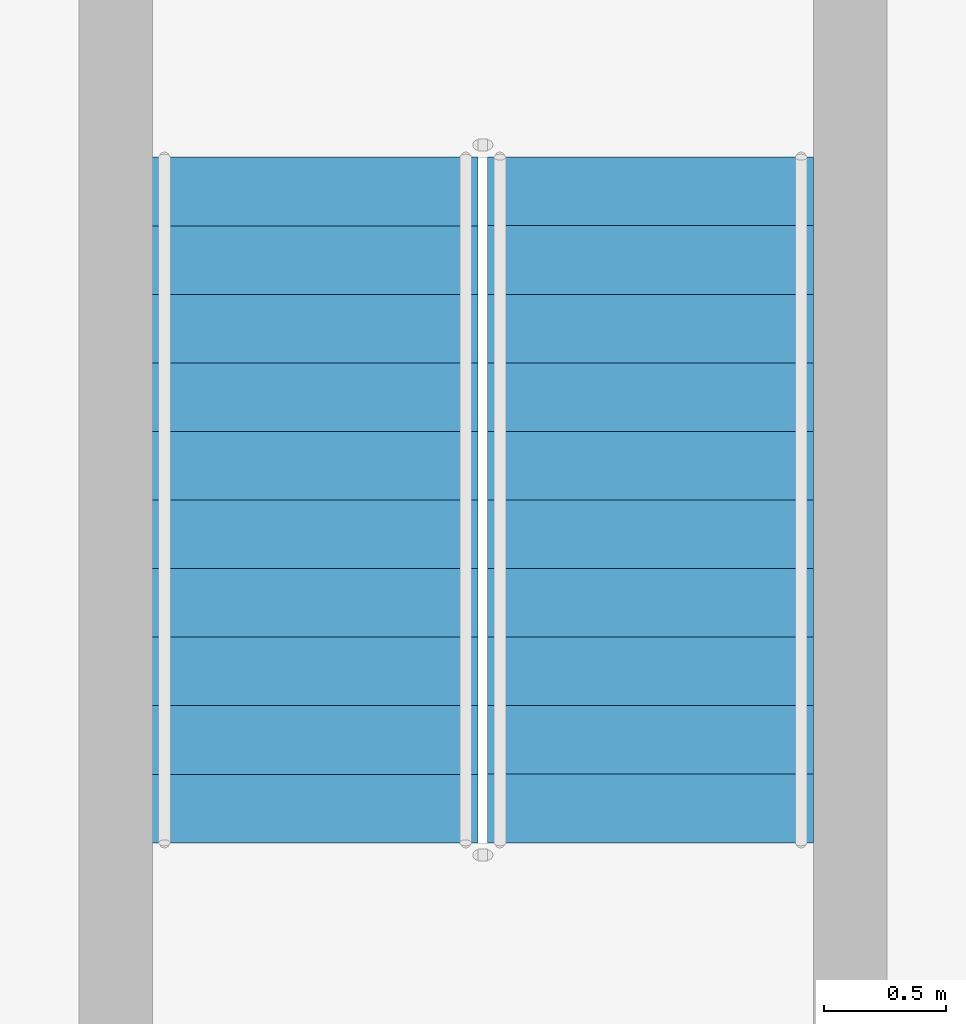
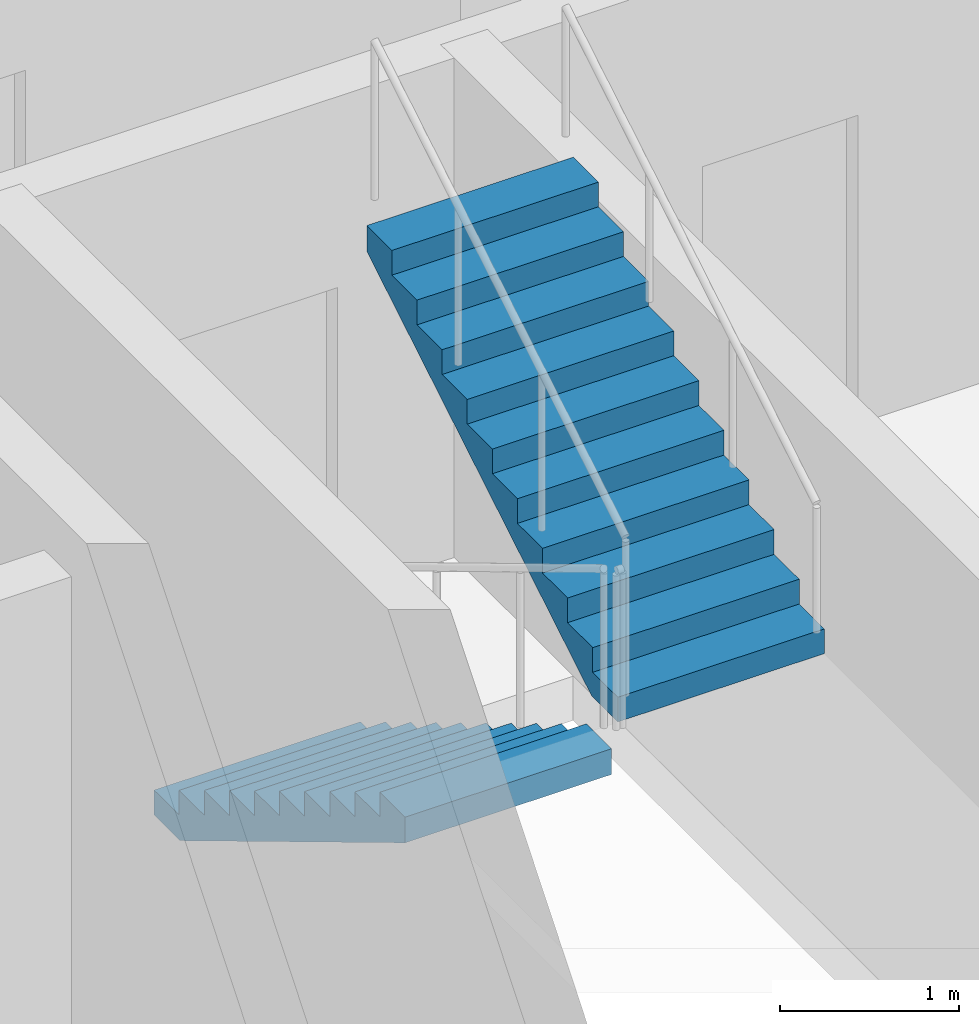
# One storey, part 28 of 36: 2 stair flights, 1 element without a shape of its own.
"""IFC4 building model written with IfcOpenShell, lengths in metres."""

from ifc_helpers import new_model, si_unit, direction, frame, origin, place, context, subcontext, project, spatial, triangles, source, transform, mapped, material, type_object, element, aggregate, save


model = new_model("IFC4")

# Units and contexts
model_context = context("Model", 3, precision=1e-05, world=origin(), true_north=direction((0.0, 1.0)))
body_context = subcontext(model_context, "Body", "Model", "MODEL_VIEW")
ifc_project = project(units=[si_unit("LENGTHUNIT", "METRE"), si_unit("AREAUNIT", "SQUARE_METRE"), si_unit("VOLUMEUNIT", "CUBIC_METRE"), si_unit("PLANEANGLEUNIT", "RADIAN"), si_unit("MASSUNIT", "GRAM", prefix="KILO")], contexts=[model_context])

# Site, building, storey
site_placement = place(None, origin())
site = spatial("IfcSite", under=ifc_project, at=site_placement, CompositionType="ELEMENT")
building_placement = place(site_placement, origin())
building = spatial("IfcBuilding", under=site, at=building_placement, Name="Ogive Portal Towers", CompositionType="ELEMENT")
storey_placement = place(building_placement, frame((0.0, 0.0, 48.300048828125)))
storey = spatial("IfcBuildingStorey", under=building, at=storey_placement, Name="L10", CompositionType="ELEMENT", Elevation=48.300048828125)

# Stair, stair flights
ifc_material = material(Name="Concrete C40/50", Category="concrete")
stair_type = type_object("IfcStairType", Name="INT-STAIR", PredefinedType="HALF_TURN_STAIR", material=ifc_material)
stair_placement = place(storey_placement, origin())
stair = element("IfcStair", 1, at=stair_placement, inside=storey, type_object=stair_type, Name="L10 Exit Stair ST-A4", PredefinedType="HALF_TURN_STAIR")
stair_flight_type = type_object("IfcStairFlightType", Name="INT-FLIGHT", PredefinedType="STRAIGHT", material=ifc_material)
shared_shape = source(origin(), body_context, "Body", "Tessellation", [
    triangles([(0.0, -0.6650390625, 0.0), (0.0, -0.384765625, 0.0), (0.0, -0.197021484375, 0.0), (0.0, -0.0830078125, 0.0), (0.0, -0.024658203125, 0.0), (0.0, -0.003173828125, 0.0), (0.0, 0.0, 0.0), (0.0, 0.003173828125, 0.0), (0.0, 0.024658203125, 0.0), (0.0, 0.0830078125, 0.0), (0.0, 0.197021484375, 0.0), (0.0, 0.384765625, 0.0), (0.0, 0.6650390625, 0.0), (0.0, -0.6650390625, 0.168212890625), (0.0, -0.384765625, 0.168212890625), (0.0, -0.197021484375, 0.168212890625), (0.0, -0.0830078125, 0.168212890625), (0.0, -0.024658203125, 0.168212890625), (0.0, -0.003173828125, 0.168212890625), (0.0, 0.0, 0.168212890625), (0.0, 0.003173828125, 0.168212890625), (0.0, 0.024658203125, 0.168212890625), (0.0, 0.0830078125, 0.168212890625), (0.0, 0.197021484375, 0.168212890625), (0.0, 0.384765625, 0.168212890625), (0.0, 0.6650390625, 0.168212890625), (0.280029296875, -0.6650390625, 0.168212890625), (0.280029296875, -0.384765625, 0.168212890625), (0.280029296875, -0.197021484375, 0.168212890625), (0.280029296875, -0.0830078125, 0.168212890625), (0.280029296875, -0.024658203125, 0.168212890625), (0.280029296875, -0.003173828125, 0.168212890625), (0.280029296875, 0.0, 0.168212890625), (0.280029296875, 0.003173828125, 0.168212890625), (0.280029296875, 0.024658203125, 0.168212890625), (0.280029296875, 0.0830078125, 0.168212890625), (0.280029296875, 0.197021484375, 0.168212890625), (0.280029296875, 0.384765625, 0.168212890625), (0.280029296875, 0.6650390625, 0.168212890625), (0.280029296875, -0.6650390625, 0.33642578125), (0.280029296875, -0.384765625, 0.33642578125), (0.280029296875, -0.197021484375, 0.33642578125), (0.280029296875, -0.0830078125, 0.33642578125), (0.280029296875, -0.024658203125, 0.33642578125), (0.280029296875, -0.003173828125, 0.33642578125), (0.280029296875, 0.0, 0.33642578125), (0.280029296875, 0.003173828125, 0.33642578125), (0.280029296875, 0.024658203125, 0.33642578125), (0.280029296875, 0.0830078125, 0.33642578125), (0.280029296875, 0.197021484375, 0.33642578125), (0.280029296875, 0.384765625, 0.33642578125), (0.280029296875, 0.6650390625, 0.33642578125), (0.56005859375, -0.6650390625, 0.33642578125), (0.56005859375, -0.384765625, 0.33642578125), (0.56005859375, -0.197021484375, 0.33642578125), (0.56005859375, -0.0830078125, 0.33642578125), (0.56005859375, -0.024658203125, 0.33642578125), (0.56005859375, -0.003173828125, 0.33642578125), (0.56005859375, 0.0, 0.33642578125), (0.56005859375, 0.003173828125, 0.33642578125), (0.56005859375, 0.024658203125, 0.33642578125), (0.56005859375, 0.0830078125, 0.33642578125), (0.56005859375, 0.197021484375, 0.33642578125), (0.56005859375, 0.384765625, 0.33642578125), (0.56005859375, 0.6650390625, 0.33642578125), (0.56005859375, -0.6650390625, 0.504638671875), (0.56005859375, -0.384765625, 0.504638671875), (0.56005859375, -0.197021484375, 0.504638671875), (0.56005859375, -0.0830078125, 0.504638671875), (0.56005859375, -0.024658203125, 0.504638671875), (0.56005859375, -0.003173828125, 0.504638671875), (0.56005859375, 0.0, 0.504638671875), (0.56005859375, 0.003173828125, 0.504638671875), (0.56005859375, 0.024658203125, 0.504638671875), (0.56005859375, 0.0830078125, 0.504638671875), (0.56005859375, 0.197021484375, 0.504638671875), (0.56005859375, 0.384765625, 0.504638671875), (0.56005859375, 0.6650390625, 0.504638671875), (0.840087890625, -0.6650390625, 0.504638671875), (0.840087890625, -0.384765625, 0.504638671875), (0.840087890625, -0.197021484375, 0.504638671875), (0.840087890625, -0.0830078125, 0.504638671875), (0.840087890625, -0.024658203125, 0.504638671875), (0.840087890625, -0.003173828125, 0.504638671875), (0.840087890625, 0.0, 0.504638671875), (0.840087890625, 0.003173828125, 0.504638671875), (0.840087890625, 0.024658203125, 0.504638671875), (0.840087890625, 0.0830078125, 0.504638671875), (0.840087890625, 0.197021484375, 0.504638671875), (0.840087890625, 0.384765625, 0.504638671875), (0.840087890625, 0.6650390625, 0.504638671875), (0.840087890625, -0.6650390625, 0.672607421875), (0.840087890625, -0.384765625, 0.672607421875), (0.840087890625, -0.197021484375, 0.672607421875), (0.840087890625, -0.0830078125, 0.672607421875), (0.840087890625, -0.024658203125, 0.672607421875), (0.840087890625, -0.003173828125, 0.672607421875), (0.840087890625, 0.0, 0.672607421875), (0.840087890625, 0.003173828125, 0.672607421875), (0.840087890625, 0.024658203125, 0.672607421875), (0.840087890625, 0.0830078125, 0.672607421875), (0.840087890625, 0.197021484375, 0.672607421875), (0.840087890625, 0.384765625, 0.672607421875), (0.840087890625, 0.6650390625, 0.672607421875), (1.1201171875, -0.6650390625, 0.672607421875), (1.1201171875, -0.384765625, 0.672607421875), (1.1201171875, -0.197021484375, 0.672607421875), (1.1201171875, -0.0830078125, 0.672607421875), (1.1201171875, -0.024658203125, 0.672607421875), (1.1201171875, -0.003173828125, 0.672607421875), (1.1201171875, 0.0, 0.672607421875), (1.1201171875, 0.003173828125, 0.672607421875), (1.1201171875, 0.024658203125, 0.672607421875), (1.1201171875, 0.0830078125, 0.672607421875), (1.1201171875, 0.197021484375, 0.672607421875), (1.1201171875, 0.384765625, 0.672607421875), (1.1201171875, 0.6650390625, 0.672607421875), (1.1201171875, -0.6650390625, 0.8408203125), (1.1201171875, -0.384765625, 0.8408203125), (1.1201171875, -0.197021484375, 0.8408203125), (1.1201171875, -0.0830078125, 0.8408203125), (1.1201171875, -0.024658203125, 0.8408203125), (1.1201171875, -0.003173828125, 0.8408203125), (1.1201171875, 0.0, 0.8408203125), (1.1201171875, 0.003173828125, 0.8408203125), (1.1201171875, 0.024658203125, 0.8408203125), (1.1201171875, 0.0830078125, 0.8408203125), (1.1201171875, 0.197021484375, 0.8408203125), (1.1201171875, 0.384765625, 0.8408203125), (1.1201171875, 0.6650390625, 0.8408203125), (1.39990234375, -0.6650390625, 0.8408203125), (1.39990234375, -0.384765625, 0.8408203125), (1.39990234375, -0.197021484375, 0.8408203125), (1.39990234375, -0.0830078125, 0.8408203125), (1.39990234375, -0.024658203125, 0.8408203125), (1.39990234375, -0.003173828125, 0.8408203125), (1.39990234375, 0.0, 0.8408203125), (1.39990234375, 0.003173828125, 0.8408203125), (1.39990234375, 0.024658203125, 0.8408203125), (1.39990234375, 0.0830078125, 0.8408203125), (1.39990234375, 0.197021484375, 0.8408203125), (1.39990234375, 0.384765625, 0.8408203125), (1.39990234375, 0.6650390625, 0.8408203125), (1.39990234375, -0.6650390625, 1.009033203125), (1.39990234375, -0.384765625, 1.009033203125), (1.39990234375, -0.197021484375, 1.009033203125), (1.39990234375, -0.0830078125, 1.009033203125), (1.39990234375, -0.024658203125, 1.009033203125), (1.39990234375, -0.003173828125, 1.009033203125), (1.39990234375, 0.0, 1.009033203125), (1.39990234375, 0.003173828125, 1.009033203125), (1.39990234375, 0.024658203125, 1.009033203125), (1.39990234375, 0.0830078125, 1.009033203125), (1.39990234375, 0.197021484375, 1.009033203125), (1.39990234375, 0.384765625, 1.009033203125), (1.39990234375, 0.6650390625, 1.009033203125), (1.679931640625, -0.6650390625, 1.009033203125), (1.679931640625, -0.384765625, 1.009033203125), (1.679931640625, -0.197021484375, 1.009033203125), (1.679931640625, -0.0830078125, 1.009033203125), (1.679931640625, -0.024658203125, 1.009033203125), (1.679931640625, -0.003173828125, 1.009033203125), (1.679931640625, 0.0, 1.009033203125), (1.679931640625, 0.003173828125, 1.009033203125), (1.679931640625, 0.024658203125, 1.009033203125), (1.679931640625, 0.0830078125, 1.009033203125), (1.679931640625, 0.197021484375, 1.009033203125), (1.679931640625, 0.384765625, 1.009033203125), (1.679931640625, 0.6650390625, 1.009033203125), (1.679931640625, -0.6650390625, 1.17724609375), (1.679931640625, -0.384765625, 1.17724609375), (1.679931640625, -0.197021484375, 1.17724609375), (1.679931640625, -0.0830078125, 1.17724609375), (1.679931640625, -0.024658203125, 1.17724609375), (1.679931640625, -0.003173828125, 1.17724609375), (1.679931640625, 0.0, 1.17724609375), (1.679931640625, 0.003173828125, 1.17724609375), (1.679931640625, 0.024658203125, 1.17724609375), (1.679931640625, 0.0830078125, 1.17724609375), (1.679931640625, 0.197021484375, 1.17724609375), (1.679931640625, 0.384765625, 1.17724609375), (1.679931640625, 0.6650390625, 1.17724609375), (1.9599609375, -0.6650390625, 1.17724609375), (1.9599609375, -0.384765625, 1.17724609375), (1.9599609375, -0.197021484375, 1.17724609375), (1.9599609375, -0.0830078125, 1.17724609375), (1.9599609375, -0.024658203125, 1.17724609375), (1.9599609375, -0.003173828125, 1.17724609375), (1.9599609375, 0.0, 1.17724609375), (1.9599609375, 0.003173828125, 1.17724609375), (1.9599609375, 0.024658203125, 1.17724609375), (1.9599609375, 0.0830078125, 1.17724609375), (1.9599609375, 0.197021484375, 1.17724609375), (1.9599609375, 0.384765625, 1.17724609375), (1.9599609375, 0.6650390625, 1.17724609375), (1.9599609375, -0.6650390625, 1.345458984375), (1.9599609375, -0.384765625, 1.345458984375), (1.9599609375, -0.197021484375, 1.345458984375), (1.9599609375, -0.0830078125, 1.345458984375), (1.9599609375, -0.024658203125, 1.345458984375), (1.9599609375, -0.003173828125, 1.345458984375), (1.9599609375, 0.0, 1.345458984375), (1.9599609375, 0.003173828125, 1.345458984375), (1.9599609375, 0.024658203125, 1.345458984375), (1.9599609375, 0.0830078125, 1.345458984375), (1.9599609375, 0.197021484375, 1.345458984375), (1.9599609375, 0.384765625, 1.345458984375), (1.9599609375, 0.6650390625, 1.345458984375), (2.239990234375, -0.6650390625, 1.345458984375), (2.239990234375, -0.384765625, 1.345458984375), (2.239990234375, -0.197021484375, 1.345458984375), (2.239990234375, -0.0830078125, 1.345458984375), (2.239990234375, -0.024658203125, 1.345458984375), (2.239990234375, -0.003173828125, 1.345458984375), (2.239990234375, 0.0, 1.345458984375), (2.239990234375, 0.003173828125, 1.345458984375), (2.239990234375, 0.024658203125, 1.345458984375), (2.239990234375, 0.0830078125, 1.345458984375), (2.239990234375, 0.197021484375, 1.345458984375), (2.239990234375, 0.384765625, 1.345458984375), (2.239990234375, 0.6650390625, 1.345458984375), (2.239990234375, -0.6650390625, 1.513671875), (2.239990234375, -0.384765625, 1.513671875), (2.239990234375, -0.197021484375, 1.513671875), (2.239990234375, -0.0830078125, 1.513671875), (2.239990234375, -0.024658203125, 1.513671875), (2.239990234375, -0.003173828125, 1.513671875), (2.239990234375, 0.0, 1.513671875), (2.239990234375, 0.003173828125, 1.513671875), (2.239990234375, 0.024658203125, 1.513671875), (2.239990234375, 0.0830078125, 1.513671875), (2.239990234375, 0.197021484375, 1.513671875), (2.239990234375, 0.384765625, 1.513671875), (2.239990234375, 0.6650390625, 1.513671875), (2.52001953125, -0.6650390625, 1.513671875), (2.52001953125, -0.384765625, 1.513671875), (2.52001953125, -0.197021484375, 1.513671875), (2.52001953125, -0.0830078125, 1.513671875), (2.52001953125, -0.024658203125, 1.513671875), (2.52001953125, -0.003173828125, 1.513671875), (2.52001953125, 0.0, 1.513671875), (2.52001953125, 0.003173828125, 1.513671875), (2.52001953125, 0.024658203125, 1.513671875), (2.52001953125, 0.0830078125, 1.513671875), (2.52001953125, 0.197021484375, 1.513671875), (2.52001953125, 0.384765625, 1.513671875), (2.52001953125, 0.6650390625, 1.513671875), (2.52001953125, -0.6650390625, 1.681884765625), (2.52001953125, -0.384765625, 1.681884765625), (2.52001953125, -0.197021484375, 1.681884765625), (2.52001953125, -0.0830078125, 1.681884765625), (2.52001953125, -0.024658203125, 1.681884765625), (2.52001953125, -0.003173828125, 1.681884765625), (2.52001953125, 0.0, 1.681884765625), (2.52001953125, 0.003173828125, 1.681884765625), (2.52001953125, 0.024658203125, 1.681884765625), (2.52001953125, 0.0830078125, 1.681884765625), (2.52001953125, 0.197021484375, 1.681884765625), (2.52001953125, 0.384765625, 1.681884765625), (2.52001953125, 0.6650390625, 1.681884765625), (2.800048828125, -0.6650390625, 1.681884765625), (2.800048828125, -0.384765625, 1.681884765625), (2.800048828125, -0.197021484375, 1.681884765625), (2.800048828125, -0.0830078125, 1.681884765625), (2.800048828125, -0.024658203125, 1.681884765625), (2.800048828125, -0.003173828125, 1.681884765625), (2.800048828125, 0.0, 1.681884765625), (2.800048828125, 0.003173828125, 1.681884765625), (2.800048828125, 0.024658203125, 1.681884765625), (2.800048828125, 0.0830078125, 1.681884765625), (2.800048828125, 0.197021484375, 1.681884765625), (2.800048828125, 0.384765625, 1.681884765625), (2.800048828125, 0.6650390625, 1.681884765625), (2.800048828125, -0.6650390625, 1.5068359375), (2.800048828125, -0.384765625, 1.5068359375), (2.800048828125, -0.197021484375, 1.5068359375), (2.800048828125, -0.0830078125, 1.5068359375), (2.800048828125, -0.024658203125, 1.5068359375), (2.800048828125, -0.003173828125, 1.5068359375), (2.800048828125, 0.0, 1.5068359375), (2.800048828125, 0.003173828125, 1.5068359375), (2.800048828125, 0.024658203125, 1.5068359375), (2.800048828125, 0.0830078125, 1.5068359375), (2.800048828125, 0.197021484375, 1.5068359375), (2.800048828125, 0.384765625, 1.5068359375), (2.800048828125, 0.6650390625, 1.5068359375), (0.291015625, -0.6650390625, 0.0), (0.291015625, -0.384765625, 0.0), (0.291015625, -0.197021484375, 0.0), (0.291015625, -0.0830078125, 0.0), (0.291015625, -0.024658203125, 0.0), (0.291015625, -0.003173828125, 0.0), (0.291015625, 0.0, 0.0), (0.291015625, 0.003173828125, 0.0), (0.291015625, 0.024658203125, 0.0), (0.291015625, 0.0830078125, 0.0), (0.291015625, 0.197021484375, 0.0), (0.291015625, 0.384765625, 0.0), (0.291015625, 0.6650390625, 0.0)], [[1, 14, 15], [1, 15, 2], [2, 15, 16], [2, 16, 3], [3, 16, 17], [3, 17, 4], [4, 17, 18], [4, 18, 5], [5, 18, 19], [5, 19, 6], [6, 19, 20], [6, 20, 7], [7, 20, 21], [7, 21, 8], [8, 21, 22], [8, 22, 9], [9, 22, 23], [9, 23, 10], [10, 23, 24], [10, 24, 11], [11, 24, 25], [11, 25, 12], [12, 25, 26], [12, 26, 13], [14, 27, 28], [14, 28, 15], [15, 28, 29], [15, 29, 16], [16, 29, 30], [16, 30, 17], [17, 30, 31], [17, 31, 18], [18, 31, 32], [18, 32, 19], [19, 32, 33], [19, 33, 20], [20, 33, 34], [20, 34, 21], [21, 34, 35], [21, 35, 22], [22, 35, 36], [22, 36, 23], [23, 36, 37], [23, 37, 24], [24, 37, 38], [24, 38, 25], [25, 38, 39], [25, 39, 26], [27, 40, 41], [27, 41, 28], [28, 41, 42], [28, 42, 29], [29, 42, 43], [29, 43, 30], [30, 43, 44], [30, 44, 31], [31, 44, 45], [31, 45, 32], [32, 45, 46], [32, 46, 33], [33, 46, 47], [33, 47, 34], [34, 47, 48], [34, 48, 35], [35, 48, 49], [35, 49, 36], [36, 49, 50], [36, 50, 37], [37, 50, 51], [37, 51, 38], [38, 51, 52], [38, 52, 39], [40, 53, 54], [40, 54, 41], [41, 54, 55], [41, 55, 42], [42, 55, 56], [42, 56, 43], [43, 56, 57], [43, 57, 44], [44, 57, 58], [44, 58, 45], [45, 58, 59], [45, 59, 46], [46, 59, 60], [46, 60, 47], [47, 60, 61], [47, 61, 48], [48, 61, 62], [48, 62, 49], [49, 62, 63], [49, 63, 50], [50, 63, 64], [50, 64, 51], [51, 64, 65], [51, 65, 52], [53, 66, 67], [53, 67, 54], [54, 67, 68], [54, 68, 55], [55, 68, 69], [55, 69, 56], [56, 69, 70], [56, 70, 57], [57, 70, 71], [57, 71, 58], [58, 71, 72], [58, 72, 59], [59, 72, 73], [59, 73, 60], [60, 73, 74], [60, 74, 61], [61, 74, 75], [61, 75, 62], [62, 75, 76], [62, 76, 63], [63, 76, 77], [63, 77, 64], [64, 77, 78], [64, 78, 65], [66, 79, 80], [66, 80, 67], [67, 80, 81], [67, 81, 68], [68, 81, 82], [68, 82, 69], [69, 82, 83], [69, 83, 70], [70, 83, 84], [70, 84, 71], [71, 84, 85], [71, 85, 72], [72, 85, 86], [72, 86, 73], [73, 86, 87], [73, 87, 74], [74, 87, 88], [74, 88, 75], [75, 88, 89], [75, 89, 76], [76, 89, 90], [76, 90, 77], [77, 90, 91], [77, 91, 78], [79, 92, 93], [79, 93, 80], [80, 93, 94], [80, 94, 81], [81, 94, 95], [81, 95, 82], [82, 95, 96], [82, 96, 83], [83, 96, 97], [83, 97, 84], [84, 97, 98], [84, 98, 85], [85, 98, 99], [85, 99, 86], [86, 99, 100], [86, 100, 87], [87, 100, 101], [87, 101, 88], [88, 101, 102], [88, 102, 89], [89, 102, 103], [89, 103, 90], [90, 103, 104], [90, 104, 91], [92, 105, 106], [92, 106, 93], [93, 106, 107], [93, 107, 94], [94, 107, 108], [94, 108, 95], [95, 108, 109], [95, 109, 96], [96, 109, 110], [96, 110, 97], [97, 110, 111], [97, 111, 98], [98, 111, 112], [98, 112, 99], [99, 112, 113], [99, 113, 100], [100, 113, 114], [100, 114, 101], [101, 114, 115], [101, 115, 102], [102, 115, 116], [102, 116, 103], [103, 116, 117], [103, 117, 104], [105, 118, 119], [105, 119, 106], [106, 119, 120], [106, 120, 107], [107, 120, 121], [107, 121, 108], [108, 121, 122], [108, 122, 109], [109, 122, 123], [109, 123, 110], [110, 123, 124], [110, 124, 111], [111, 124, 125], [111, 125, 112], [112, 125, 126], [112, 126, 113], [113, 126, 127], [113, 127, 114], [114, 127, 128], [114, 128, 115], [115, 128, 129], [115, 129, 116], [116, 129, 130], [116, 130, 117], [118, 131, 132], [118, 132, 119], [119, 132, 133], [119, 133, 120], [120, 133, 134], [120, 134, 121], [121, 134, 135], [121, 135, 122], [122, 135, 136], [122, 136, 123], [123, 136, 137], [123, 137, 124], [124, 137, 138], [124, 138, 125], [125, 138, 139], [125, 139, 126], [126, 139, 140], [126, 140, 127], [127, 140, 141], [127, 141, 128], [128, 141, 142], [128, 142, 129], [129, 142, 143], [129, 143, 130], [131, 144, 145], [131, 145, 132], [132, 145, 146], [132, 146, 133], [133, 146, 147], [133, 147, 134], [134, 147, 148], [134, 148, 135], [135, 148, 149], [135, 149, 136], [136, 149, 150], [136, 150, 137], [137, 150, 151], [137, 151, 138], [138, 151, 152], [138, 152, 139], [139, 152, 153], [139, 153, 140], [140, 153, 154], [140, 154, 141], [141, 154, 155], [141, 155, 142], [142, 155, 156], [142, 156, 143], [144, 157, 158], [144, 158, 145], [145, 158, 159], [145, 159, 146], [146, 159, 160], [146, 160, 147], [147, 160, 161], [147, 161, 148], [148, 161, 162], [148, 162, 149], [149, 162, 163], [149, 163, 150], [150, 163, 164], [150, 164, 151], [151, 164, 165], [151, 165, 152], [152, 165, 166], [152, 166, 153], [153, 166, 167], [153, 167, 154], [154, 167, 168], [154, 168, 155], [155, 168, 169], [155, 169, 156], [157, 170, 171], [157, 171, 158], [158, 171, 172], [158, 172, 159], [159, 172, 173], [159, 173, 160], [160, 173, 174], [160, 174, 161], [161, 174, 175], [161, 175, 162], [162, 175, 176], [162, 176, 163], [163, 176, 177], [163, 177, 164], [164, 177, 178], [164, 178, 165], [165, 178, 179], [165, 179, 166], [166, 179, 180], [166, 180, 167], [167, 180, 181], [167, 181, 168], [168, 181, 182], [168, 182, 169], [170, 183, 184], [170, 184, 171], [171, 184, 185], [171, 185, 172], [172, 185, 186], [172, 186, 173], [173, 186, 187], [173, 187, 174], [174, 187, 188], [174, 188, 175], [175, 188, 189], [175, 189, 176], [176, 189, 190], [176, 190, 177], [177, 190, 191], [177, 191, 178], [178, 191, 192], [178, 192, 179], [179, 192, 193], [179, 193, 180], [180, 193, 194], [180, 194, 181], [181, 194, 195], [181, 195, 182], [183, 196, 197], [183, 197, 184], [184, 197, 198], [184, 198, 185], [185, 198, 199], [185, 199, 186], [186, 199, 200], [186, 200, 187], [187, 200, 201], [187, 201, 188], [188, 201, 202], [188, 202, 189], [189, 202, 203], [189, 203, 190], [190, 203, 204], [190, 204, 191], [191, 204, 205], [191, 205, 192], [192, 205, 206], [192, 206, 193], [193, 206, 207], [193, 207, 194], [194, 207, 208], [194, 208, 195], [196, 209, 210], [196, 210, 197], [197, 210, 211], [197, 211, 198], [198, 211, 212], [198, 212, 199], [199, 212, 213], [199, 213, 200], [200, 213, 214], [200, 214, 201], [201, 214, 215], [201, 215, 202], [202, 215, 216], [202, 216, 203], [203, 216, 217], [203, 217, 204], [204, 217, 218], [204, 218, 205], [205, 218, 219], [205, 219, 206], [206, 219, 220], [206, 220, 207], [207, 220, 221], [207, 221, 208], [209, 222, 223], [209, 223, 210], [210, 223, 224], [210, 224, 211], [211, 224, 225], [211, 225, 212], [212, 225, 226], [212, 226, 213], [213, 226, 227], [213, 227, 214], [214, 227, 228], [214, 228, 215], [215, 228, 229], [215, 229, 216], [216, 229, 230], [216, 230, 217], [217, 230, 231], [217, 231, 218], [218, 231, 232], [218, 232, 219], [219, 232, 233], [219, 233, 220], [220, 233, 234], [220, 234, 221], [222, 235, 236], [222, 236, 223], [223, 236, 237], [223, 237, 224], [224, 237, 238], [224, 238, 225], [225, 238, 239], [225, 239, 226], [226, 239, 240], [226, 240, 227], [227, 240, 241], [227, 241, 228], [228, 241, 242], [228, 242, 229], [229, 242, 243], [229, 243, 230], [230, 243, 244], [230, 244, 231], [231, 244, 245], [231, 245, 232], [232, 245, 246], [232, 246, 233], [233, 246, 247], [233, 247, 234], [235, 248, 249], [235, 249, 236], [236, 249, 250], [236, 250, 237], [237, 250, 251], [237, 251, 238], [238, 251, 252], [238, 252, 239], [239, 252, 253], [239, 253, 240], [240, 253, 254], [240, 254, 241], [241, 254, 255], [241, 255, 242], [242, 255, 256], [242, 256, 243], [243, 256, 257], [243, 257, 244], [244, 257, 258], [244, 258, 245], [245, 258, 259], [245, 259, 246], [246, 259, 260], [246, 260, 247], [248, 261, 262], [248, 262, 249], [249, 262, 263], [249, 263, 250], [250, 263, 264], [250, 264, 251], [251, 264, 265], [251, 265, 252], [252, 265, 266], [252, 266, 253], [253, 266, 267], [253, 267, 254], [254, 267, 268], [254, 268, 255], [255, 268, 269], [255, 269, 256], [256, 269, 270], [256, 270, 257], [257, 270, 271], [257, 271, 258], [258, 271, 272], [258, 272, 259], [259, 272, 273], [259, 273, 260], [261, 274, 275], [261, 275, 262], [262, 275, 276], [262, 276, 263], [263, 276, 277], [263, 277, 264], [264, 277, 278], [264, 278, 265], [265, 278, 279], [265, 279, 266], [266, 279, 280], [266, 280, 267], [267, 280, 281], [267, 281, 268], [268, 281, 282], [268, 282, 269], [269, 282, 283], [269, 283, 270], [270, 283, 284], [270, 284, 271], [271, 284, 285], [271, 285, 272], [272, 285, 286], [272, 286, 273], [274, 287, 288], [274, 288, 275], [275, 288, 289], [275, 289, 276], [276, 289, 290], [276, 290, 277], [277, 290, 291], [277, 291, 278], [278, 291, 292], [278, 292, 279], [279, 292, 293], [279, 293, 280], [280, 293, 294], [280, 294, 281], [281, 294, 295], [281, 295, 282], [282, 295, 296], [282, 296, 283], [283, 296, 297], [283, 297, 284], [284, 297, 298], [284, 298, 285], [285, 298, 299], [285, 299, 286], [287, 1, 2], [287, 2, 288], [288, 2, 3], [288, 3, 289], [289, 3, 4], [289, 4, 290], [290, 4, 5], [290, 5, 291], [291, 5, 6], [291, 6, 292], [292, 6, 7], [292, 7, 293], [293, 7, 8], [293, 8, 294], [294, 8, 9], [294, 9, 295], [295, 9, 10], [295, 10, 296], [296, 10, 11], [296, 11, 297], [297, 11, 12], [297, 12, 298], [298, 12, 13], [298, 13, 299], [1, 287, 274], [13, 286, 299], [274, 261, 248], [286, 260, 273], [274, 248, 235], [286, 247, 260], [274, 235, 222], [286, 234, 247], [274, 222, 209], [286, 221, 234], [209, 196, 183], [221, 195, 208], [274, 209, 183], [286, 195, 221], [183, 170, 157], [195, 169, 182], [274, 183, 157], [286, 169, 195], [157, 144, 131], [169, 143, 156], [274, 157, 131], [286, 143, 169], [131, 118, 105], [143, 117, 130], [274, 131, 105], [286, 117, 143], [1, 274, 105], [13, 117, 286], [105, 92, 79], [117, 91, 104], [79, 66, 53], [91, 65, 78], [105, 79, 53], [117, 65, 91], [53, 40, 27], [65, 39, 52], [105, 53, 27], [117, 39, 65], [1, 105, 27], [13, 39, 117], [27, 14, 1], [39, 13, 26]], closed=True),
])
stair_flight_1_placement = place(storey_placement, frame((87.6650390625, 29.169921875, 0.0), z_axis=(0.0, 0.0, 1.0), x_axis=(0.0, -1.0, 0.0)))
stair_flight_1 = element("IfcStairFlight", 2, at=stair_flight_1_placement, type_object=stair_flight_type, Name="ST-A4 flight 1", NumberOfRisers=11, NumberOfTreads=10, PredefinedType="STRAIGHT", RiserHeight=0.168181818, TreadLength=0.28, context=body_context, shape_type="MappedRepresentation", body=[
    mapped(shared_shape, transform((0.0, 0.0, 0.0), scale=1.0)),
])
stair_flight_2_placement = place(storey_placement, frame((89.034912109375, 26.3701171875, 1.849853515625), z_axis=(0.0, 0.0, 1.0), x_axis=(0.0, 1.0, 0.0)))
stair_flight_2 = element("IfcStairFlight", 3, at=stair_flight_2_placement, type_object=stair_flight_type, Name="ST-A4 flight 2", NumberOfRisers=11, NumberOfTreads=10, PredefinedType="STRAIGHT", RiserHeight=0.168181818, TreadLength=0.28, context=body_context, shape_type="MappedRepresentation", body=[
    mapped(shared_shape, transform((0.0, 0.0, 0.0), scale=1.0)),
])
aggregate(stair, [stair_flight_1, stair_flight_2])

save(model, "model.ifc")
